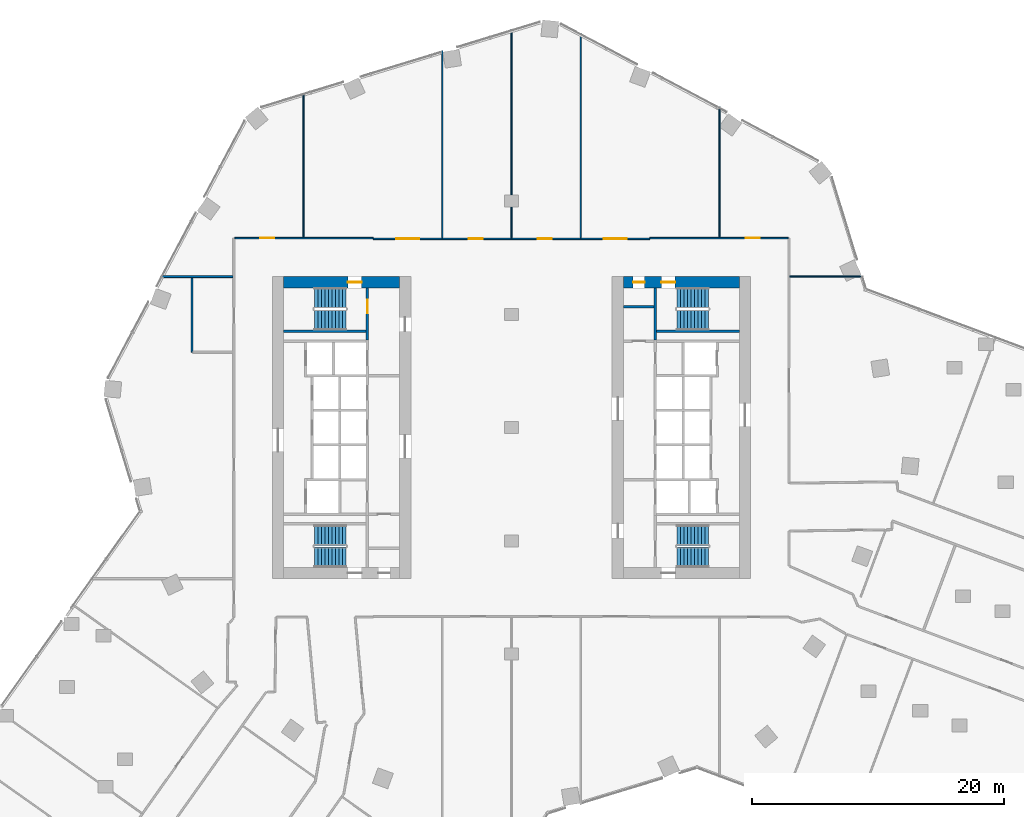
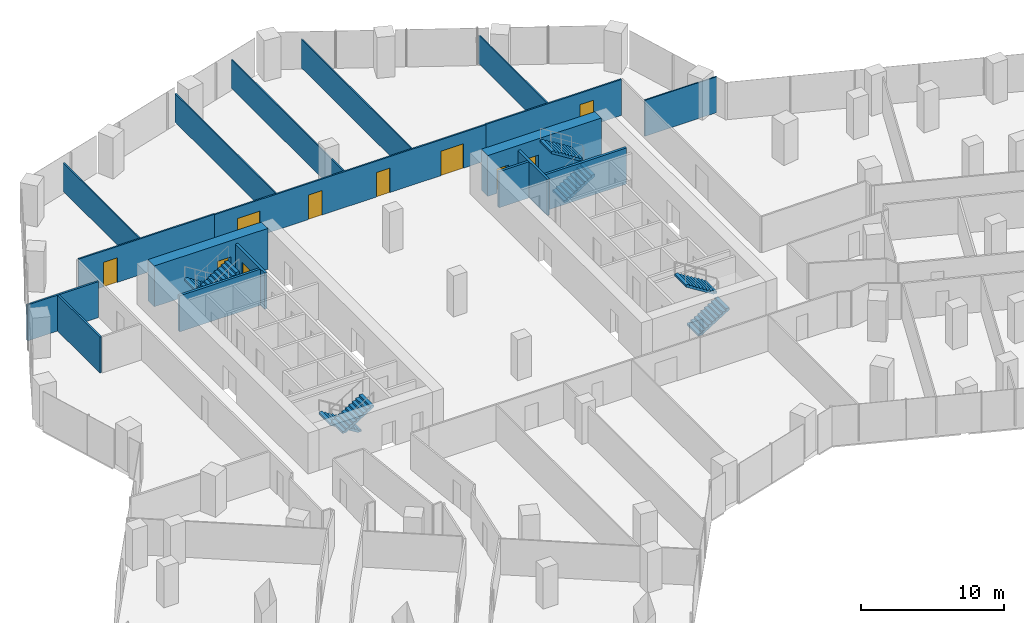
# One storey, part 28 of 31: 18 walls, 10 doors, 8 stair flights, 10 openings, 4 elements without a shape of their own.
"""IFC4 building model written with IfcOpenShell, lengths in metres."""

from ifc_helpers import new_model, si_unit, direction, frame, frame_2d, origin, place, context, subcontext, project, spatial, polyline, rectangle, outline, extrude, material, layer, layer_set, type_object, element, fill, aggregate, save


model = new_model("IFC4")

# Units and contexts
model_context = context("Model", 3, precision=1e-05, world=origin(), true_north=direction((0.0, 1.0)))
body_context = subcontext(model_context, "Body", "Model", "MODEL_VIEW")
ifc_project = project(units=[si_unit("LENGTHUNIT", "METRE"), si_unit("AREAUNIT", "SQUARE_METRE"), si_unit("VOLUMEUNIT", "CUBIC_METRE"), si_unit("PLANEANGLEUNIT", "RADIAN"), si_unit("MASSUNIT", "GRAM", prefix="KILO")], contexts=[model_context])

# Site, building, storey
site_placement = place(None, origin())
site = spatial("IfcSite", under=ifc_project, at=site_placement, CompositionType="ELEMENT")
building_placement = place(site_placement, origin())
building = spatial("IfcBuilding", under=site, at=building_placement, Name="Orlundy Tower", CompositionType="ELEMENT")
storey_placement = place(building_placement, frame((0.0, 0.0, 91.199951171875)))
storey = spatial("IfcBuildingStorey", under=building, at=storey_placement, Name="L22", CompositionType="ELEMENT", Elevation=91.199951171875)

# Wall, opening, door
ifc_material_1 = material(Name="Concrete C80/95", Category="concrete")
ifc_layer_1 = layer(ifc_material_1, 0.89990234375)
ifc_layer_set_1 = layer_set([ifc_layer_1], Name="CORE WALL 900 C80/95")
wall_type_1 = type_object("IfcWallType", Name="CORE WALL 900 C80/95", PredefinedType="SHEAR", material=ifc_layer_set_1)
wall_1_placement = place(storey_placement, frame((-18.10009765625, 11.550048828125, 0.0), z_axis=(0.0, 0.0, 1.0), x_axis=(1.0, 0.0, 0.0)))
wall_1 = element("IfcWall", 1, at=wall_1_placement, inside=storey, type_object=wall_type_1, Name="Core wall W-N L22", PredefinedType="SHEAR", context=body_context, shape_type="SweptSolid", body=[
    extrude(rectangle(XDim=9.2001953125, YDim=0.89990234375, at=frame_2d((4.60009765625, 0.0))), origin(), (0.0, 0.0, 1.0), 3.5),
])
opening_1_placement = place(wall_1_placement, frame((5.10009765625, 0.0, 0.0)))
opening_1 = element("IfcOpeningElement", 2, at=opening_1_placement, cuts=wall_1, Name="Opening 18012", PredefinedType="OPENING", context=body_context, shape_type="SweptSolid", body=[
    extrude(rectangle(XDim=1.10009765625, YDim=2.10009765625, at=frame_2d((0.550048828125, 1.050048828125))), frame((0.0, 0.4599609375, 0.0), z_axis=(0.0, -1.0, 0.0), x_axis=(1.0, 0.0, 0.0)), (0.0, 0.0, 1.0), 0.919921875),
])
ifc_material_2 = material(Name="Steel door set", Category="steel")
door_type_1 = type_object("IfcDoorType", Name="Stair Door 1100x2100", OperationType="SINGLE_SWING_LEFT", PredefinedType="DOOR", material=ifc_material_2)
door_1_placement = place(opening_1_placement, origin())
door_1 = element("IfcDoor", 3, at=door_1_placement, inside=storey, type_object=door_type_1, Name="Stair door 18012", OperationType="SINGLE_SWING_RIGHT", OverallHeight=2.10009765625, OverallWidth=1.10009765625, PredefinedType="DOOR", context=body_context, shape_type="SweptSolid", body=[
    extrude(rectangle(XDim=1.10009765625, YDim=2.10009765625, at=frame_2d((0.550048828125, 1.050048828125))), frame((0.0, 0.02490234375, 0.0), z_axis=(0.0, -1.0, 0.0), x_axis=(1.0, 0.0, 0.0)), (0.0, 0.0, 1.0), 0.050048828125),
])
fill(opening_1, door_1)

# Wall, openings, doors
wall_2_placement = place(storey_placement, frame((8.89990234375, 11.550048828125, 0.0), z_axis=(0.0, 0.0, 1.0), x_axis=(1.0, 0.0, 0.0)))
wall_2 = element("IfcWall", 4, at=wall_2_placement, inside=storey, type_object=wall_type_1, Name="Core wall E-N L22", PredefinedType="SHEAR", context=body_context, shape_type="SweptSolid", body=[
    extrude(rectangle(XDim=9.2001953125, YDim=0.89990234375, at=frame_2d((4.60009765625, 0.0))), origin(), (0.0, 0.0, 1.0), 3.5),
])
opening_2_placement = place(wall_2_placement, frame((3.0, 0.0, 0.0)))
opening_2 = element("IfcOpeningElement", 5, at=opening_2_placement, cuts=wall_2, Name="Opening 18062", PredefinedType="OPENING", context=body_context, shape_type="SweptSolid", body=[
    extrude(rectangle(XDim=1.10009765625, YDim=2.10009765625, at=frame_2d((0.550048828125, 1.050048828125))), frame((0.0, 0.4599609375, 0.0), z_axis=(0.0, -1.0, 0.0), x_axis=(1.0, 0.0, 0.0)), (0.0, 0.0, 1.0), 0.919921875),
])
opening_3_placement = place(wall_2_placement, frame((0.77001953125, 0.0, 0.0)))
opening_3 = element("IfcOpeningElement", 6, at=opening_3_placement, cuts=wall_2, Name="Opening 18064", PredefinedType="OPENING", context=body_context, shape_type="SweptSolid", body=[
    extrude(rectangle(XDim=0.89990234375, YDim=2.10009765625, at=frame_2d((0.449951171875, 1.050048828125))), frame((0.0, 0.4599609375, 0.0), z_axis=(0.0, -1.0, 0.0), x_axis=(1.0, 0.0, 0.0)), (0.0, 0.0, 1.0), 0.919921875),
])
ifc_material_3 = material(Name="Timber door set", Category="wood")
door_type_2 = type_object("IfcDoorType", Name="Room Door 900x2100", OperationType="SINGLE_SWING_LEFT", PredefinedType="DOOR", material=ifc_material_3)
door_2_placement = place(opening_3_placement, origin())
door_2 = element("IfcDoor", 7, at=door_2_placement, inside=storey, type_object=door_type_2, Name="Store door 18064", OperationType="SINGLE_SWING_LEFT", OverallHeight=2.10009765625, OverallWidth=0.89990234375, PredefinedType="DOOR", context=body_context, shape_type="SweptSolid", body=[
    extrude(rectangle(XDim=0.89990234375, YDim=2.10009765625, at=frame_2d((0.449951171875, 1.050048828125))), frame((0.0, 0.02490234375, 0.0), z_axis=(0.0, -1.0, 0.0), x_axis=(1.0, 0.0, 0.0)), (0.0, 0.0, 1.0), 0.050048828125),
])
fill(opening_3, door_2)
door_3_placement = place(opening_2_placement, origin())
door_3 = element("IfcDoor", 8, at=door_3_placement, inside=storey, type_object=door_type_1, Name="Stair door 18062", OperationType="SINGLE_SWING_LEFT", OverallHeight=2.10009765625, OverallWidth=1.10009765625, PredefinedType="DOOR", context=body_context, shape_type="SweptSolid", body=[
    extrude(rectangle(XDim=1.10009765625, YDim=2.10009765625, at=frame_2d((0.550048828125, 1.050048828125))), frame((0.0, 0.02490234375, 0.0), z_axis=(0.0, -1.0, 0.0), x_axis=(1.0, 0.0, 0.0)), (0.0, 0.0, 1.0), 0.050048828125),
])
fill(opening_2, door_3)

# Walls
ifc_material_4 = material(Name="Gypsum board partition")
ifc_layer_2 = layer(ifc_material_4, 0.10009765625)
ifc_layer_set_2 = layer_set([ifc_layer_2], Name="Floor partition 100")
wall_type_2 = type_object("IfcWallType", Name="Floor partition 100", PredefinedType="PARTITIONING", material=ifc_layer_set_2)
wall_3_placement = place(storey_placement, frame((22.113037109375, 12.0, 0.0), z_axis=(0.0, 0.0, 1.0), x_axis=(1.0, 0.0, 0.0)))
element("IfcWall", 9, at=wall_3_placement, inside=storey, type_object=wall_type_2, Name="wall-int-L22-038", PredefinedType="PARTITIONING", context=body_context, shape_type="SweptSolid", body=[
    extrude(rectangle(XDim=5.849853515625, YDim=0.10009765625, at=frame_2d((2.9248046875, 0.0))), origin(), (0.0, 0.0, 1.0), 3.080078125),
])
ifc_material_5 = material(Name="Gypsum board partition")
ifc_layer_3 = layer(ifc_material_5, 0.10009765625)
ifc_layer_set_3 = layer_set([ifc_layer_3], Name="Floor partition 100 B")
wall_type_3 = type_object("IfcWallType", Name="Floor partition 100 B", PredefinedType="PARTITIONING", material=ifc_layer_set_3)
wall_4_placement = place(storey_placement, frame((16.52099609375, 15.114013671875, 0.0), z_axis=(0.0, 0.0, 1.0), x_axis=(0.0, 1.0, 0.0)))
element("IfcWall", 10, at=wall_4_placement, inside=storey, type_object=wall_type_3, Name="wall-int-L22-078", PredefinedType="PARTITIONING", context=body_context, shape_type="SweptSolid", body=[
    extrude(rectangle(XDim=10.362060546875, YDim=0.10009765625, at=frame_2d((5.18115234375, 0.0))), origin(), (0.0, 0.0, 1.0), 2.445068359375),
])
wall_5_placement = place(storey_placement, frame((5.4951171875, 15.06298828125, 0.0), z_axis=(0.0, 0.0, 1.0), x_axis=(0.0, 1.0, 0.0)))
element("IfcWall", 11, at=wall_5_placement, inside=storey, type_object=wall_type_3, Name="wall-int-L22-080", PredefinedType="PARTITIONING", context=body_context, shape_type="SweptSolid", body=[
    extrude(rectangle(XDim=16.27490234375, YDim=0.10009765625, at=frame_2d((8.137451171875, 0.0))), origin(), (0.0, 0.0, 1.0), 2.445068359375),
])
wall_6_placement = place(storey_placement, frame((0.0, 15.06298828125, 0.0), z_axis=(0.0, 0.0, 1.0), x_axis=(0.0, 1.0, 0.0)))
element("IfcWall", 12, at=wall_6_placement, inside=storey, type_object=wall_type_3, Name="wall-int-L22-082", PredefinedType="PARTITIONING", context=body_context, shape_type="SweptSolid", body=[
    extrude(rectangle(XDim=16.569091796875, YDim=0.10009765625, at=frame_2d((8.28466796875, 0.0))), origin(), (0.0, 0.0, 1.0), 2.445068359375),
])
wall_7_placement = place(storey_placement, frame((-5.4951171875, 15.06298828125, 0.0), z_axis=(0.0, 0.0, 1.0), x_axis=(0.0, 1.0, 0.0)))
element("IfcWall", 13, at=wall_7_placement, inside=storey, type_object=wall_type_3, Name="wall-int-L22-084", PredefinedType="PARTITIONING", context=body_context, shape_type="SweptSolid", body=[
    extrude(rectangle(XDim=14.888916015625, YDim=0.10009765625, at=frame_2d((7.4443359375, 0.0))), origin(), (0.0, 0.0, 1.0), 2.445068359375),
])
wall_8_placement = place(storey_placement, frame((-16.52001953125, 15.114013671875, 0.0), z_axis=(0.0, 0.0, 1.0), x_axis=(0.0, 1.0, 0.0)))
element("IfcWall", 14, at=wall_8_placement, inside=storey, type_object=wall_type_3, Name="wall-int-L22-085", PredefinedType="PARTITIONING", context=body_context, shape_type="SweptSolid", body=[
    extrude(rectangle(XDim=11.468017578125, YDim=0.10009765625, at=frame_2d((5.73388671875, 0.0))), origin(), (0.0, 0.0, 1.0), 2.445068359375),
])

# Wall, openings, doors
ifc_material_6 = material(Name="Gypsum board partition, double layer")
ifc_layer_4 = layer(ifc_material_6, 0.125)
ifc_layer_set_4 = layer_set([ifc_layer_4], Name="Floor partition 125")
wall_type_4 = type_object("IfcWallType", Name="Floor partition 125", PredefinedType="PARTITIONING", material=ifc_layer_set_4)
wall_9_placement = place(storey_placement, frame((-10.989990234375, 15.0009765625, 0.0), z_axis=(0.0, 0.0, 1.0), x_axis=(1.0, 0.0, 0.0)))
wall_9 = element("IfcWall", 15, at=wall_9_placement, inside=storey, type_object=wall_type_4, Name="wall-int-L22-039", PredefinedType="PARTITIONING", context=body_context, shape_type="SweptSolid", body=[
    extrude(rectangle(XDim=21.97998046875, YDim=0.125, at=frame_2d((10.989990234375, 0.0))), origin(), (0.0, 0.0, 1.0), 3.080078125),
])
opening_4_placement = place(wall_9_placement, frame((18.3349609375, 0.0, 0.0)))
opening_4 = element("IfcOpeningElement", 16, at=opening_4_placement, cuts=wall_9, Name="Opening 18132", PredefinedType="OPENING", context=body_context, shape_type="SweptSolid", body=[
    extrude(rectangle(XDim=1.800048828125, YDim=2.10009765625, at=frame_2d((0.89990234375, 1.050048828125))), frame((0.0, 0.072509765625, 0.0), z_axis=(0.0, -1.0, 0.0), x_axis=(1.0, 0.0, 0.0)), (0.0, 0.0, 1.0), 0.14501953125),
])
opening_5_placement = place(wall_9_placement, frame((13.090087890625, 0.0, 0.0)))
opening_5 = element("IfcOpeningElement", 17, at=opening_5_placement, cuts=wall_9, Name="Opening 18133", PredefinedType="OPENING", context=body_context, shape_type="SweptSolid", body=[
    extrude(rectangle(XDim=1.10009765625, YDim=2.10009765625, at=frame_2d((0.550048828125, 1.050048828125))), frame((0.0, 0.072509765625, 0.0), z_axis=(0.0, -1.0, 0.0), x_axis=(1.0, 0.0, 0.0)), (0.0, 0.0, 1.0), 0.14501953125),
])
opening_6_placement = place(wall_9_placement, frame((7.594970703125, 0.0, 0.0)))
opening_6 = element("IfcOpeningElement", 18, at=opening_6_placement, cuts=wall_9, Name="Opening 18134", PredefinedType="OPENING", context=body_context, shape_type="SweptSolid", body=[
    extrude(rectangle(XDim=1.10009765625, YDim=2.10009765625, at=frame_2d((0.550048828125, 1.050048828125))), frame((0.0, 0.072509765625, 0.0), z_axis=(0.0, -1.0, 0.0), x_axis=(1.0, 0.0, 0.0)), (0.0, 0.0, 1.0), 0.14501953125),
])
opening_7_placement = place(wall_9_placement, frame((1.85009765625, 0.0, 0.0)))
opening_7 = element("IfcOpeningElement", 19, at=opening_7_placement, cuts=wall_9, Name="Opening 18135", PredefinedType="OPENING", context=body_context, shape_type="SweptSolid", body=[
    extrude(rectangle(XDim=1.800048828125, YDim=2.10009765625, at=frame_2d((0.89990234375, 1.050048828125))), frame((0.0, 0.072509765625, 0.0), z_axis=(0.0, -1.0, 0.0), x_axis=(1.0, 0.0, 0.0)), (0.0, 0.0, 1.0), 0.14501953125),
])
ifc_material_7 = material(Name="Timber door leaf", Category="wood")
door_type_3 = type_object("IfcDoorType", Name="Floor door double 1800 FD30S", OperationType="NOTDEFINED", PredefinedType="DOOR", material=ifc_material_7)
door_4_placement = place(opening_4_placement, origin())
door_4 = element("IfcDoor", 20, at=door_4_placement, inside=storey, type_object=door_type_3, Name="Door 18132", OperationType="DOUBLE_DOOR_SINGLE_SWING", OverallHeight=2.10009765625, OverallWidth=1.800048828125, PredefinedType="DOOR", context=body_context, shape_type="SweptSolid", body=[
    extrude(rectangle(XDim=1.800048828125, YDim=2.10009765625, at=frame_2d((0.89990234375, 1.050048828125))), frame((0.0, 0.02490234375, 0.0), z_axis=(0.0, -1.0, 0.0), x_axis=(1.0, 0.0, 0.0)), (0.0, 0.0, 1.0), 0.050048828125),
])
fill(opening_4, door_4)
door_5_placement = place(opening_7_placement, origin())
door_5 = element("IfcDoor", 21, at=door_5_placement, inside=storey, type_object=door_type_3, Name="Door 18135", OperationType="DOUBLE_DOOR_SINGLE_SWING", OverallHeight=2.10009765625, OverallWidth=1.800048828125, PredefinedType="DOOR", context=body_context, shape_type="SweptSolid", body=[
    extrude(rectangle(XDim=1.800048828125, YDim=2.10009765625, at=frame_2d((0.89990234375, 1.050048828125))), frame((0.0, 0.02490234375, 0.0), z_axis=(0.0, -1.0, 0.0), x_axis=(1.0, 0.0, 0.0)), (0.0, 0.0, 1.0), 0.050048828125),
])
fill(opening_7, door_5)
ifc_material_8 = material(Name="Timber door leaf", Category="wood")
door_type_4 = type_object("IfcDoorType", Name="Floor door xwide 1100 FD30S", OperationType="NOTDEFINED", PredefinedType="DOOR", material=ifc_material_8)
door_6_placement = place(opening_5_placement, origin())
door_6 = element("IfcDoor", 22, at=door_6_placement, inside=storey, type_object=door_type_4, Name="Door 18133", OperationType="SINGLE_SWING_RIGHT", OverallHeight=2.10009765625, OverallWidth=1.10009765625, PredefinedType="DOOR", context=body_context, shape_type="SweptSolid", body=[
    extrude(rectangle(XDim=1.10009765625, YDim=2.10009765625, at=frame_2d((0.550048828125, 1.050048828125))), frame((0.0, 0.02490234375, 0.0), z_axis=(0.0, -1.0, 0.0), x_axis=(1.0, 0.0, 0.0)), (0.0, 0.0, 1.0), 0.050048828125),
])
fill(opening_5, door_6)
door_7_placement = place(opening_6_placement, origin())
door_7 = element("IfcDoor", 23, at=door_7_placement, inside=storey, type_object=door_type_4, Name="Door 18134", OperationType="SINGLE_SWING_LEFT", OverallHeight=2.10009765625, OverallWidth=1.10009765625, PredefinedType="DOOR", context=body_context, shape_type="SweptSolid", body=[
    extrude(rectangle(XDim=1.10009765625, YDim=2.10009765625, at=frame_2d((0.550048828125, 1.050048828125))), frame((0.0, 0.02490234375, 0.0), z_axis=(0.0, -1.0, 0.0), x_axis=(1.0, 0.0, 0.0)), (0.0, 0.0, 1.0), 0.050048828125),
])
fill(opening_6, door_7)

# Wall, opening, door
wall_10_placement = place(storey_placement, frame((-21.97509765625, 15.051025390625, 0.0), z_axis=(0.0, 0.0, 1.0), x_axis=(1.0, 0.0, 0.0)))
wall_10 = element("IfcWall", 24, at=wall_10_placement, inside=storey, type_object=wall_type_4, Name="wall-int-L22-040", PredefinedType="PARTITIONING", context=body_context, shape_type="SweptSolid", body=[
    extrude(rectangle(XDim=10.984130859375, YDim=0.125, at=frame_2d((5.4921875, 0.0))), origin(), (0.0, 0.0, 1.0), 3.080078125),
])
opening_8_placement = place(wall_10_placement, frame((2.02490234375, 0.0, 0.0)))
opening_8 = element("IfcOpeningElement", 25, at=opening_8_placement, cuts=wall_10, Name="Opening 18136", PredefinedType="OPENING", context=body_context, shape_type="SweptSolid", body=[
    extrude(rectangle(XDim=1.10009765625, YDim=2.10009765625, at=frame_2d((0.550048828125, 1.050048828125))), frame((0.0, 0.072509765625, 0.0), z_axis=(0.0, -1.0, 0.0), x_axis=(1.0, 0.0, 0.0)), (0.0, 0.0, 1.0), 0.14501953125),
])
door_8_placement = place(opening_8_placement, origin())
door_8 = element("IfcDoor", 26, at=door_8_placement, inside=storey, type_object=door_type_4, Name="Door 18136", OperationType="SINGLE_SWING_LEFT", OverallHeight=2.10009765625, OverallWidth=1.10009765625, PredefinedType="DOOR", context=body_context, shape_type="SweptSolid", body=[
    extrude(rectangle(XDim=1.10009765625, YDim=2.10009765625, at=frame_2d((0.550048828125, 1.050048828125))), frame((0.0, 0.02490234375, 0.0), z_axis=(0.0, -1.0, 0.0), x_axis=(1.0, 0.0, 0.0)), (0.0, 0.0, 1.0), 0.050048828125),
])
fill(opening_8, door_8)

wall_11_placement = place(storey_placement, frame((10.990966796875, 15.051025390625, 0.0), z_axis=(0.0, 0.0, 1.0), x_axis=(1.0, 0.0, 0.0)))
wall_11 = element("IfcWall", 27, at=wall_11_placement, inside=storey, type_object=wall_type_4, Name="wall-int-L22-041", PredefinedType="PARTITIONING", context=body_context, shape_type="SweptSolid", body=[
    extrude(rectangle(XDim=10.9970703125, YDim=0.125, at=frame_2d((5.49853515625, 0.0))), origin(), (0.0, 0.0, 1.0), 3.080078125),
])
opening_9_placement = place(wall_11_placement, frame((7.6298828125, 0.0, 0.0)))
opening_9 = element("IfcOpeningElement", 28, at=opening_9_placement, cuts=wall_11, Name="Opening 18131", PredefinedType="OPENING", context=body_context, shape_type="SweptSolid", body=[
    extrude(rectangle(XDim=1.10009765625, YDim=2.10009765625, at=frame_2d((0.550048828125, 1.050048828125))), frame((0.0, 0.072509765625, 0.0), z_axis=(0.0, -1.0, 0.0), x_axis=(1.0, 0.0, 0.0)), (0.0, 0.0, 1.0), 0.14501953125),
])
door_9_placement = place(opening_9_placement, origin())
door_9 = element("IfcDoor", 29, at=door_9_placement, inside=storey, type_object=door_type_4, Name="Door 18131", OperationType="SINGLE_SWING_RIGHT", OverallHeight=2.10009765625, OverallWidth=1.10009765625, PredefinedType="DOOR", context=body_context, shape_type="SweptSolid", body=[
    extrude(rectangle(XDim=1.10009765625, YDim=2.10009765625, at=frame_2d((0.550048828125, 1.050048828125))), frame((0.0, 0.02490234375, 0.0), z_axis=(0.0, -1.0, 0.0), x_axis=(1.0, 0.0, 0.0)), (0.0, 0.0, 1.0), 0.050048828125),
])
fill(opening_9, door_9)

# Walls
ifc_material_9 = material(Name="Blockwork shaft wall", Category="masonry")
ifc_layer_5 = layer(ifc_material_9, 0.14990234375)
ifc_layer_set_5 = layer_set([ifc_layer_5], Name="Floor shaft wall 150")
wall_type_5 = type_object("IfcWallType", Name="Floor shaft wall 150", PredefinedType="PARTITIONING", material=ifc_layer_set_5)
wall_12_placement = place(storey_placement, frame((-27.87890625, 12.0, 0.0), z_axis=(0.0, 0.0, 1.0), x_axis=(1.0, 0.0, 0.0)))
element("IfcWall", 30, at=wall_12_placement, inside=storey, type_object=wall_type_5, Name="wall-int-L22-037", PredefinedType="PARTITIONING", context=body_context, shape_type="SweptSolid", body=[
    extrude(rectangle(XDim=5.75390625, YDim=0.14990234375, at=frame_2d((2.876953125, 0.0))), origin(), (0.0, 0.0, 1.0), 3.080078125),
])
wall_13_placement = place(storey_placement, frame((-25.382080078125, 6.0009765625, 0.0), z_axis=(0.0, 0.0, 1.0), x_axis=(0.0, 1.0, 0.0)))
element("IfcWall", 31, at=wall_13_placement, inside=storey, type_object=wall_type_5, Name="wall-int-L22-087", PredefinedType="PARTITIONING", context=body_context, shape_type="SweptSolid", body=[
    extrude(rectangle(XDim=5.924072265625, YDim=0.14990234375, at=frame_2d((2.9619140625, 0.0))), origin(), (0.0, 0.0, 1.0), 3.080078125),
])

# Wall, opening, door
ifc_material_10 = material(Name="Concrete C40/50", Category="concrete")
ifc_layer_6 = layer(ifc_material_10, 0.199951171875)
ifc_layer_set_6 = layer_set([ifc_layer_6], Name="Load-bearing Shaft Wall 200")
wall_type_6 = type_object("IfcWallType", Name="Load-bearing Shaft Wall 200", PredefinedType="SOLIDWALL", material=ifc_layer_set_6)
wall_14_placement = place(storey_placement, frame((-11.43994140625, 6.97509765625, 0.0), z_axis=(0.0, 0.0, 1.0), x_axis=(0.0, 1.0, 0.0)))
wall_14 = element("IfcWall", 32, at=wall_14_placement, inside=storey, type_object=wall_type_6, Name="Shaft wall W18-stair-end-n", PredefinedType="SOLIDWALL", context=body_context, shape_type="SweptSolid", body=[
    extrude(rectangle(XDim=4.125, YDim=0.199951171875, at=frame_2d((2.0625, 0.0))), origin(), (0.0, 0.0, 1.0), 3.090087890625),
])
opening_10_placement = place(wall_14_placement, frame((2.10009765625, 0.0, 0.0)))
opening_10 = element("IfcOpeningElement", 33, at=opening_10_placement, cuts=wall_14, Name="Opening 18014", PredefinedType="OPENING", context=body_context, shape_type="SweptSolid", body=[
    extrude(rectangle(XDim=1.10009765625, YDim=2.10009765625, at=frame_2d((0.550048828125, 1.050048828125))), frame((0.0, 0.110107421875, 0.0), z_axis=(0.0, -1.0, 0.0), x_axis=(1.0, 0.0, 0.0)), (0.0, 0.0, 1.0), 0.22021484375),
])
ifc_material_11 = material(Name="Steel door set", Category="steel")
door_type_5 = type_object("IfcDoorType", Name="Fire-fighting Lobby Door 1100x2100", OperationType="SINGLE_SWING_LEFT", PredefinedType="DOOR", material=ifc_material_11)
door_10_placement = place(opening_10_placement, origin())
door_10 = element("IfcDoor", 34, at=door_10_placement, inside=storey, type_object=door_type_5, Name="Fire-fighting lobby to stair door 18014", OperationType="SINGLE_SWING_RIGHT", OverallHeight=2.10009765625, OverallWidth=1.10009765625, PredefinedType="DOOR", context=body_context, shape_type="SweptSolid", body=[
    extrude(rectangle(XDim=1.10009765625, YDim=2.10009765625, at=frame_2d((0.550048828125, 1.050048828125))), frame((0.0, 0.02490234375, 0.0), z_axis=(0.0, -1.0, 0.0), x_axis=(1.0, 0.0, 0.0)), (0.0, 0.0, 1.0), 0.050048828125),
])
fill(opening_10, door_10)

# Walls
wall_15_placement = place(storey_placement, frame((-11.5400390625, 7.64990234375, 0.0), z_axis=(0.0, 0.0, 1.0), x_axis=(-1.0, 0.0, 0.0)))
element("IfcWall", 35, at=wall_15_placement, inside=storey, type_object=wall_type_6, Name="Shaft wall W18-stair-side-n", PredefinedType="SOLIDWALL", context=body_context, shape_type="SweptSolid", body=[
    extrude(rectangle(XDim=6.56005859375, YDim=0.199951171875, at=frame_2d((3.280029296875, 0.0))), origin(), (0.0, 0.0, 1.0), 3.090087890625),
])
wall_16_placement = place(storey_placement, frame((11.43994140625, 11.10009765625, 0.0), z_axis=(0.0, 0.0, 1.0), x_axis=(0.0, -1.0, 0.0)))
element("IfcWall", 36, at=wall_16_placement, inside=storey, type_object=wall_type_6, Name="Shaft wall E18-stair-end-s", PredefinedType="SOLIDWALL", context=body_context, shape_type="SweptSolid", body=[
    extrude(rectangle(XDim=4.125, YDim=0.199951171875, at=frame_2d((2.0625, 0.0))), origin(), (0.0, 0.0, 1.0), 3.090087890625),
])
wall_17_placement = place(storey_placement, frame((11.5400390625, 7.64990234375, 0.0), z_axis=(0.0, 0.0, 1.0), x_axis=(1.0, 0.0, 0.0)))
element("IfcWall", 37, at=wall_17_placement, inside=storey, type_object=wall_type_6, Name="Shaft wall E18-stair-side-s", PredefinedType="SOLIDWALL", context=body_context, shape_type="SweptSolid", body=[
    extrude(rectangle(XDim=6.56005859375, YDim=0.199951171875, at=frame_2d((3.280029296875, 0.0))), origin(), (0.0, 0.0, 1.0), 3.090087890625),
])
ifc_material_12 = material(Name="Gypsum board partition on steel studs", Category="steel")
ifc_layer_7 = layer(ifc_material_12, 0.199951171875)
ifc_layer_set_7 = layer_set([ifc_layer_7], Name="Partition 200")
wall_type_7 = type_object("IfcWallType", Name="Partition 200", PredefinedType="PARTITIONING", material=ifc_layer_set_7)
wall_18_placement = place(storey_placement, frame((8.89990234375, 9.60009765625, 0.0), z_axis=(0.0, 0.0, 1.0), x_axis=(1.0, 0.0, 0.0)))
element("IfcWall", 38, at=wall_18_placement, inside=storey, type_object=wall_type_7, Name="Partition wall E18-room-s0", PredefinedType="PARTITIONING", context=body_context, shape_type="SweptSolid", body=[
    extrude(rectangle(XDim=2.440185546875, YDim=0.199951171875, at=frame_2d((1.22021484375, 0.0))), origin(), (0.0, 0.0, 1.0), 3.090087890625),
])

# Stair, stair flights
ifc_material_13 = material(Name="Concrete C50/60", Category="concrete")
stair_type = type_object("IfcStairType", Name="Exit Stair 20 risers", PredefinedType="HALF_TURN_STAIR", material=ifc_material_13)
stair_1_placement = place(storey_placement, origin())
stair_1 = element("IfcStair", 39, at=stair_1_placement, inside=storey, type_object=stair_type, Name="L22 Exit Stair ST-W1", PredefinedType="HALF_TURN_STAIR")
ifc_material_14 = material(Name="Concrete C50/60", Category="concrete")
stair_flight_type = type_object("IfcStairFlightType", Name="Stair Flight 10 risers", PredefinedType="STRAIGHT", material=ifc_material_14)
stair_flight_1_placement = place(storey_placement, frame((-13.139892578125, 10.300048828125, 0.0), z_axis=(0.0, 0.0, 1.0), x_axis=(-1.0, 0.0, 0.0)))
stair_flight_1 = element("IfcStairFlight", 40, at=stair_flight_1_placement, type_object=stair_flight_type, Name="ST-W1 flight 1", NumberOfRisers=10, NumberOfTreads=9, PredefinedType="STRAIGHT", RiserHeight=0.175, TreadLength=0.28, context=body_context, shape_type="SweptSolid", body=[
    extrude(outline(polyline([(0.0, 0.0), (0.0, 0.175048828125), (0.280029296875, 0.175048828125), (0.280029296875, 0.35009765625), (0.56005859375, 0.35009765625), (0.56005859375, 0.52490234375), (0.840087890625, 0.52490234375), (0.840087890625, 0.699951171875), (1.1201171875, 0.699951171875), (1.1201171875, 0.875), (1.39990234375, 0.875), (1.39990234375, 1.050048828125), (1.679931640625, 1.050048828125), (1.679931640625, 1.22509765625), (1.9599609375, 1.22509765625), (1.9599609375, 1.39990234375), (2.239990234375, 1.39990234375), (2.239990234375, 1.574951171875), (2.52001953125, 1.574951171875), (2.52001953125, 1.75), (2.52001953125, 1.398193359375), (0.28271484375, 0.0), (0.0, 0.0)])), frame((0.0, 0.800048828125, 0.0), z_axis=(0.0, -1.0, 0.0), x_axis=(1.0, 0.0, 0.0)), (0.0, 0.0, 1.0), 1.60009765625),
])
stair_flight_2_placement = place(storey_placement, frame((-15.659912109375, 8.550048828125, 1.75), z_axis=(0.0, 0.0, 1.0), x_axis=(1.0, 0.0, 0.0)))
stair_flight_2 = element("IfcStairFlight", 41, at=stair_flight_2_placement, type_object=stair_flight_type, Name="ST-W1 flight 2", NumberOfRisers=10, NumberOfTreads=9, PredefinedType="STRAIGHT", RiserHeight=0.175, TreadLength=0.28, context=body_context, shape_type="SweptSolid", body=[
    extrude(outline(polyline([(0.0, 0.0), (0.0, 0.175048828125), (0.280029296875, 0.175048828125), (0.280029296875, 0.35009765625), (0.56005859375, 0.35009765625), (0.56005859375, 0.52490234375), (0.840087890625, 0.52490234375), (0.840087890625, 0.699951171875), (1.1201171875, 0.699951171875), (1.1201171875, 0.875), (1.39990234375, 0.875), (1.39990234375, 1.050048828125), (1.679931640625, 1.050048828125), (1.679931640625, 1.22509765625), (1.9599609375, 1.22509765625), (1.9599609375, 1.39990234375), (2.239990234375, 1.39990234375), (2.239990234375, 1.574951171875), (2.52001953125, 1.574951171875), (2.52001953125, 1.75), (2.52001953125, 1.398193359375), (0.28271484375, 0.0), (0.0, 0.0)])), frame((0.0, 0.800048828125, 0.0), z_axis=(0.0, -1.0, 0.0), x_axis=(1.0, 0.0, 0.0)), (0.0, 0.0, 1.0), 1.60009765625),
])
aggregate(stair_1, [stair_flight_1, stair_flight_2])

stair_2_placement = place(storey_placement, origin())
stair_2 = element("IfcStair", 42, at=stair_2_placement, inside=storey, type_object=stair_type, Name="L22 Exit Stair ST-W2", PredefinedType="HALF_TURN_STAIR")
stair_flight_3_placement = place(storey_placement, frame((-13.139892578125, -8.550048828125, 0.0), z_axis=(0.0, 0.0, 1.0), x_axis=(-1.0, 0.0, 0.0)))
stair_flight_3 = element("IfcStairFlight", 43, at=stair_flight_3_placement, type_object=stair_flight_type, Name="ST-W2 flight 1", NumberOfRisers=10, NumberOfTreads=9, PredefinedType="STRAIGHT", RiserHeight=0.175, TreadLength=0.28, context=body_context, shape_type="SweptSolid", body=[
    extrude(outline(polyline([(0.0, 0.0), (0.0, 0.175048828125), (0.280029296875, 0.175048828125), (0.280029296875, 0.35009765625), (0.56005859375, 0.35009765625), (0.56005859375, 0.52490234375), (0.840087890625, 0.52490234375), (0.840087890625, 0.699951171875), (1.1201171875, 0.699951171875), (1.1201171875, 0.875), (1.39990234375, 0.875), (1.39990234375, 1.050048828125), (1.679931640625, 1.050048828125), (1.679931640625, 1.22509765625), (1.9599609375, 1.22509765625), (1.9599609375, 1.39990234375), (2.239990234375, 1.39990234375), (2.239990234375, 1.574951171875), (2.52001953125, 1.574951171875), (2.52001953125, 1.75), (2.52001953125, 1.398193359375), (0.28271484375, 0.0), (0.0, 0.0)])), frame((0.0, 0.800048828125, 0.0), z_axis=(0.0, -1.0, 0.0), x_axis=(1.0, 0.0, 0.0)), (0.0, 0.0, 1.0), 1.60009765625),
])
stair_flight_4_placement = place(storey_placement, frame((-15.659912109375, -10.300048828125, 1.75), z_axis=(0.0, 0.0, 1.0), x_axis=(1.0, 0.0, 0.0)))
stair_flight_4 = element("IfcStairFlight", 44, at=stair_flight_4_placement, type_object=stair_flight_type, Name="ST-W2 flight 2", NumberOfRisers=10, NumberOfTreads=9, PredefinedType="STRAIGHT", RiserHeight=0.175, TreadLength=0.28, context=body_context, shape_type="SweptSolid", body=[
    extrude(outline(polyline([(0.0, 0.0), (0.0, 0.175048828125), (0.280029296875, 0.175048828125), (0.280029296875, 0.35009765625), (0.56005859375, 0.35009765625), (0.56005859375, 0.52490234375), (0.840087890625, 0.52490234375), (0.840087890625, 0.699951171875), (1.1201171875, 0.699951171875), (1.1201171875, 0.875), (1.39990234375, 0.875), (1.39990234375, 1.050048828125), (1.679931640625, 1.050048828125), (1.679931640625, 1.22509765625), (1.9599609375, 1.22509765625), (1.9599609375, 1.39990234375), (2.239990234375, 1.39990234375), (2.239990234375, 1.574951171875), (2.52001953125, 1.574951171875), (2.52001953125, 1.75), (2.52001953125, 1.398193359375), (0.28271484375, 0.0), (0.0, 0.0)])), frame((0.0, 0.800048828125, 0.0), z_axis=(0.0, -1.0, 0.0), x_axis=(1.0, 0.0, 0.0)), (0.0, 0.0, 1.0), 1.60009765625),
])
aggregate(stair_2, [stair_flight_3, stair_flight_4])

stair_3_placement = place(storey_placement, origin())
stair_3 = element("IfcStair", 45, at=stair_3_placement, inside=storey, type_object=stair_type, Name="L22 Exit Stair ST-E1", PredefinedType="HALF_TURN_STAIR")
stair_flight_5_placement = place(storey_placement, frame((13.139892578125, -10.300048828125, 0.0), z_axis=(0.0, 0.0, 1.0), x_axis=(1.0, 0.0, 0.0)))
stair_flight_5 = element("IfcStairFlight", 46, at=stair_flight_5_placement, type_object=stair_flight_type, Name="ST-E1 flight 1", NumberOfRisers=10, NumberOfTreads=9, PredefinedType="STRAIGHT", RiserHeight=0.175, TreadLength=0.28, context=body_context, shape_type="SweptSolid", body=[
    extrude(outline(polyline([(0.0, 0.0), (0.0, 0.175048828125), (0.280029296875, 0.175048828125), (0.280029296875, 0.35009765625), (0.56005859375, 0.35009765625), (0.56005859375, 0.52490234375), (0.840087890625, 0.52490234375), (0.840087890625, 0.699951171875), (1.1201171875, 0.699951171875), (1.1201171875, 0.875), (1.39990234375, 0.875), (1.39990234375, 1.050048828125), (1.679931640625, 1.050048828125), (1.679931640625, 1.22509765625), (1.9599609375, 1.22509765625), (1.9599609375, 1.39990234375), (2.239990234375, 1.39990234375), (2.239990234375, 1.574951171875), (2.52001953125, 1.574951171875), (2.52001953125, 1.75), (2.52001953125, 1.398193359375), (0.28271484375, 0.0), (0.0, 0.0)])), frame((0.0, 0.800048828125, 0.0), z_axis=(0.0, -1.0, 0.0), x_axis=(1.0, 0.0, 0.0)), (0.0, 0.0, 1.0), 1.60009765625),
])
stair_flight_6_placement = place(storey_placement, frame((15.659912109375, -8.550048828125, 1.75), z_axis=(0.0, 0.0, 1.0), x_axis=(-1.0, 0.0, 0.0)))
stair_flight_6 = element("IfcStairFlight", 47, at=stair_flight_6_placement, type_object=stair_flight_type, Name="ST-E1 flight 2", NumberOfRisers=10, NumberOfTreads=9, PredefinedType="STRAIGHT", RiserHeight=0.175, TreadLength=0.28, context=body_context, shape_type="SweptSolid", body=[
    extrude(outline(polyline([(0.0, 0.0), (0.0, 0.175048828125), (0.280029296875, 0.175048828125), (0.280029296875, 0.35009765625), (0.56005859375, 0.35009765625), (0.56005859375, 0.52490234375), (0.840087890625, 0.52490234375), (0.840087890625, 0.699951171875), (1.1201171875, 0.699951171875), (1.1201171875, 0.875), (1.39990234375, 0.875), (1.39990234375, 1.050048828125), (1.679931640625, 1.050048828125), (1.679931640625, 1.22509765625), (1.9599609375, 1.22509765625), (1.9599609375, 1.39990234375), (2.239990234375, 1.39990234375), (2.239990234375, 1.574951171875), (2.52001953125, 1.574951171875), (2.52001953125, 1.75), (2.52001953125, 1.398193359375), (0.28271484375, 0.0), (0.0, 0.0)])), frame((0.0, 0.800048828125, 0.0), z_axis=(0.0, -1.0, 0.0), x_axis=(1.0, 0.0, 0.0)), (0.0, 0.0, 1.0), 1.60009765625),
])
aggregate(stair_3, [stair_flight_5, stair_flight_6])

stair_4_placement = place(storey_placement, origin())
stair_4 = element("IfcStair", 48, at=stair_4_placement, inside=storey, type_object=stair_type, Name="L22 Exit Stair ST-E2", PredefinedType="HALF_TURN_STAIR")
stair_flight_7_placement = place(storey_placement, frame((13.139892578125, 8.550048828125, 0.0), z_axis=(0.0, 0.0, 1.0), x_axis=(1.0, 0.0, 0.0)))
stair_flight_7 = element("IfcStairFlight", 49, at=stair_flight_7_placement, type_object=stair_flight_type, Name="ST-E2 flight 1", NumberOfRisers=10, NumberOfTreads=9, PredefinedType="STRAIGHT", RiserHeight=0.175, TreadLength=0.28, context=body_context, shape_type="SweptSolid", body=[
    extrude(outline(polyline([(0.0, 0.0), (0.0, 0.175048828125), (0.280029296875, 0.175048828125), (0.280029296875, 0.35009765625), (0.56005859375, 0.35009765625), (0.56005859375, 0.52490234375), (0.840087890625, 0.52490234375), (0.840087890625, 0.699951171875), (1.1201171875, 0.699951171875), (1.1201171875, 0.875), (1.39990234375, 0.875), (1.39990234375, 1.050048828125), (1.679931640625, 1.050048828125), (1.679931640625, 1.22509765625), (1.9599609375, 1.22509765625), (1.9599609375, 1.39990234375), (2.239990234375, 1.39990234375), (2.239990234375, 1.574951171875), (2.52001953125, 1.574951171875), (2.52001953125, 1.75), (2.52001953125, 1.398193359375), (0.28271484375, 0.0), (0.0, 0.0)])), frame((0.0, 0.800048828125, 0.0), z_axis=(0.0, -1.0, 0.0), x_axis=(1.0, 0.0, 0.0)), (0.0, 0.0, 1.0), 1.60009765625),
])
stair_flight_8_placement = place(storey_placement, frame((15.659912109375, 10.300048828125, 1.75), z_axis=(0.0, 0.0, 1.0), x_axis=(-1.0, 0.0, 0.0)))
stair_flight_8 = element("IfcStairFlight", 50, at=stair_flight_8_placement, type_object=stair_flight_type, Name="ST-E2 flight 2", NumberOfRisers=10, NumberOfTreads=9, PredefinedType="STRAIGHT", RiserHeight=0.175, TreadLength=0.28, context=body_context, shape_type="SweptSolid", body=[
    extrude(outline(polyline([(0.0, 0.0), (0.0, 0.175048828125), (0.280029296875, 0.175048828125), (0.280029296875, 0.35009765625), (0.56005859375, 0.35009765625), (0.56005859375, 0.52490234375), (0.840087890625, 0.52490234375), (0.840087890625, 0.699951171875), (1.1201171875, 0.699951171875), (1.1201171875, 0.875), (1.39990234375, 0.875), (1.39990234375, 1.050048828125), (1.679931640625, 1.050048828125), (1.679931640625, 1.22509765625), (1.9599609375, 1.22509765625), (1.9599609375, 1.39990234375), (2.239990234375, 1.39990234375), (2.239990234375, 1.574951171875), (2.52001953125, 1.574951171875), (2.52001953125, 1.75), (2.52001953125, 1.398193359375), (0.28271484375, 0.0), (0.0, 0.0)])), frame((0.0, 0.800048828125, 0.0), z_axis=(0.0, -1.0, 0.0), x_axis=(1.0, 0.0, 0.0)), (0.0, 0.0, 1.0), 1.60009765625),
])
aggregate(stair_4, [stair_flight_7, stair_flight_8])

save(model, "model.ifc")
